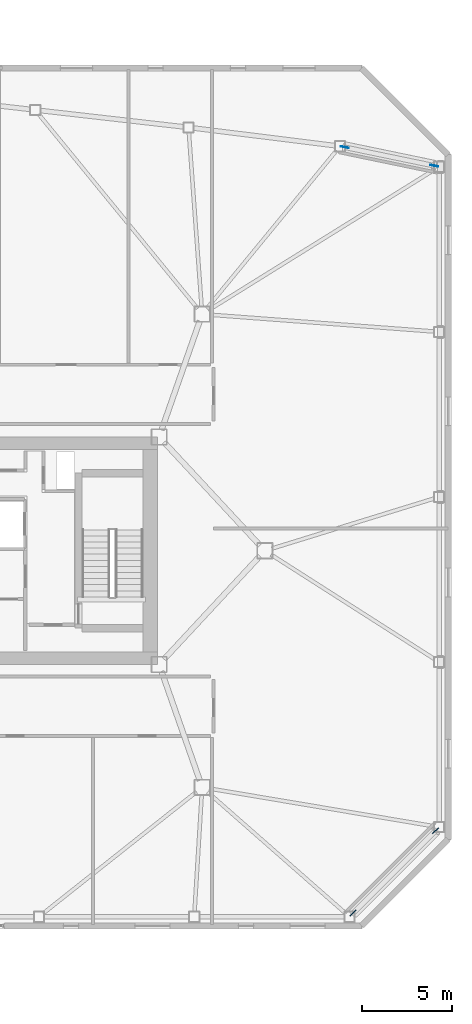
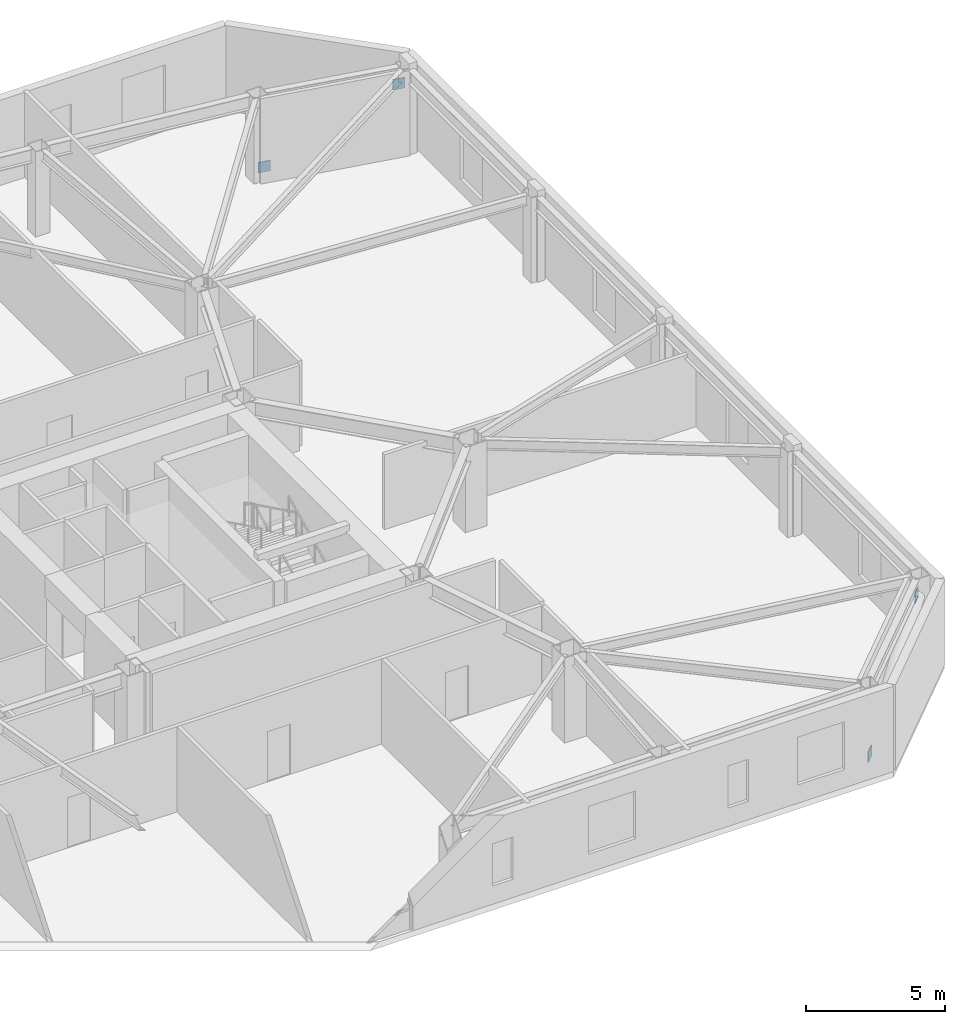
# One storey, part 17 of 18: 4 discrete accessories.
"""IFC4 building model written with IfcOpenShell, lengths in metres."""

from ifc_helpers import new_model, si_unit, direction, frame, origin, origin_2d, place, context, subcontext, project, spatial, rectangle, extrude, material, type_object, element, save


model = new_model("IFC4")

# Units and contexts
model_context = context("Model", 3, precision=1e-05, world=origin(), true_north=direction((0.0, 1.0)))
body_context = subcontext(model_context, "Body", "Model", "MODEL_VIEW")
ifc_project = project(units=[si_unit("LENGTHUNIT", "METRE"), si_unit("AREAUNIT", "SQUARE_METRE"), si_unit("VOLUMEUNIT", "CUBIC_METRE"), si_unit("PLANEANGLEUNIT", "RADIAN"), si_unit("MASSUNIT", "GRAM", prefix="KILO")], contexts=[model_context])

# Site, building, storey
site_placement = place(None, origin())
site = spatial("IfcSite", under=ifc_project, at=site_placement, CompositionType="ELEMENT")
building_placement = place(site_placement, origin())
building = spatial("IfcBuilding", under=site, at=building_placement, Name="Tavrogorsk Clinical Tower", CompositionType="ELEMENT")
storey_placement = place(building_placement, frame((0.0, 0.0, 168.199951171875)))
storey = spatial("IfcBuildingStorey", under=building, at=storey_placement, Name="L38", CompositionType="ELEMENT", Elevation=168.199951171875)

# Discrete accessories
ifc_material = material(Name="Structural steel S440", Category="steel")
discrete_accessory_type = type_object("IfcDiscreteAccessoryType", Name="GussetPlateBracket_25", PredefinedType="BRACKET", material=ifc_material)
for number, where, z_axis, x_axis, name in (
    (1, (32.922607421875, -20.217529296875, 0.18310546875), (0.0, 0.0, 1.0), (0.707106781187, 0.707106781187, 0.0), "L38 Brace Gusset Plate EXOCRN-L38-1-A"),
    (2, (37.517333984375, -15.62255859375, 2.7470703125), (0.0, 0.0, 1.0), (0.707106781187, 0.707106781187, 0.0), "L38 Brace Gusset Plate EXOCRN-L38-1-B"),
    (3, (32.461669921875, 22.509765625, 0.20654296875), (0.0, 0.0, 1.0), (0.979187402648, -0.202958198889, 0.0), "L38 Brace Gusset Plate EXOCRN-L38-2-A"),
    (4, (37.44970703125, 21.47607421875, 2.7236328125), (0.0, 0.0, 1.0), (0.979187402648, -0.202958198889, 0.0), "L38 Brace Gusset Plate EXOCRN-L38-2-B"),
):
    element("IfcDiscreteAccessory", number, at=place(storey_placement, frame(where, z_axis=z_axis, x_axis=x_axis)), inside=storey, type_object=discrete_accessory_type, Name=name, PredefinedType="BRACKET", context=body_context, shape_type="SweptSolid", body=[
        extrude(rectangle(XDim=0.4599609375, YDim=0.0400390625, at=origin_2d()), origin(), (0.0, 0.0, 1.0), 0.4599609375),
    ])

save(model, "model.ifc")
